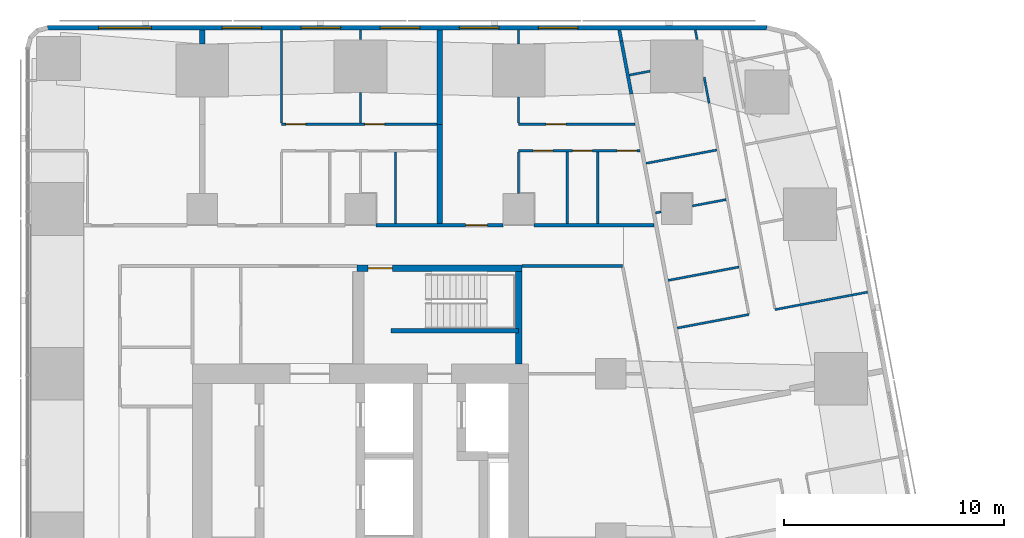
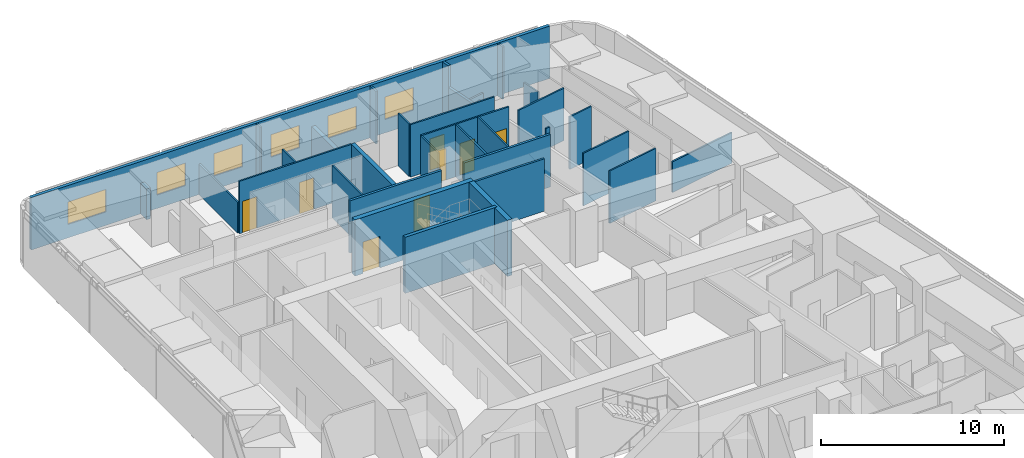
# One storey, part 16 of 19: 33 walls, 8 doors, 6 windows, 14 openings.
"""IFC4 building model written with IfcOpenShell, lengths in metres."""

from ifc_helpers import new_model, si_unit, direction, frame, frame_2d, origin, place, context, subcontext, project, spatial, rectangle, extrude, material, layer, layer_set, type_object, element, fill, save


model = new_model("IFC4")

# Units and contexts
model_context = context("Model", 3, precision=1e-05, world=origin(), true_north=direction((0.0, 1.0)))
body_context = subcontext(model_context, "Body", "Model", "MODEL_VIEW")
ifc_project = project(units=[si_unit("LENGTHUNIT", "METRE"), si_unit("AREAUNIT", "SQUARE_METRE"), si_unit("VOLUMEUNIT", "CUBIC_METRE"), si_unit("PLANEANGLEUNIT", "RADIAN"), si_unit("MASSUNIT", "GRAM", prefix="KILO")], contexts=[model_context])

# Site, building, storey
site_placement = place(None, origin())
site = spatial("IfcSite", under=ifc_project, at=site_placement, CompositionType="ELEMENT")
building_placement = place(site_placement, origin())
building = spatial("IfcBuilding", under=site, at=building_placement, Name="Sheger Commons Tower", CompositionType="ELEMENT")
storey_placement = place(building_placement, frame((0.0, 0.0, 216.199951171875)))
storey = spatial("IfcBuildingStorey", under=building, at=storey_placement, Name="L55", CompositionType="ELEMENT", Elevation=216.199951171875)

# Wall, opening, door
ifc_material_1 = material(Name="Hollow concrete block masonry, skimmed both sides", Category="masonry")
ifc_layer_1 = layer(ifc_material_1, 0.14990234375)
ifc_layer_set_1 = layer_set([ifc_layer_1], Name="CORRIDOR WALL 150")
wall_type_1 = type_object("IfcWallType", Name="CORRIDOR WALL 150", PredefinedType="SOLIDWALL", material=ifc_layer_set_1)
wall_1_placement = place(storey_placement, frame((22.301025390625, 36.75, 0.0), z_axis=(0.0, 0.0, 1.0), x_axis=(1.0, 0.0, 0.0)))
wall_1 = element("IfcWall", 1, at=wall_1_placement, inside=storey, type_object=wall_type_1, Name="Corridor wall L55", PredefinedType="SOLIDWALL", context=body_context, shape_type="SweptSolid", body=[
    extrude(rectangle(XDim=5.798095703125, YDim=0.14990234375, at=frame_2d((2.89892578125, 0.0))), origin(), (0.0, 0.0, 1.0), 3.5),
])
opening_1_placement = place(wall_1_placement, frame((4.08203125, 0.0, 0.0)))
opening_1 = element("IfcOpeningElement", 2, at=opening_1_placement, cuts=wall_1, Name="Opening D1", PredefinedType="OPENING", context=body_context, shape_type="SweptSolid", body=[
    extrude(rectangle(XDim=1.0, YDim=2.10009765625, at=frame_2d((0.5, 1.050048828125))), frame((0.0, 0.0849609375, 0.0), z_axis=(0.0, -1.0, 0.0), x_axis=(1.0, 0.0, 0.0)), (0.0, 0.0, 1.0), 0.169921875),
])
ifc_material_2 = material(Name="Steel door set, fire rated", Category="steel")
door_type_1 = type_object("IfcDoorType", Name="FLAT ENTRANCE DOOR 1000x2100", OperationType="NOTDEFINED", PredefinedType="DOOR", material=ifc_material_2)
door_1_placement = place(opening_1_placement, origin())
door_1 = element("IfcDoor", 3, at=door_1_placement, inside=storey, type_object=door_type_1, Name="Flat entrance door", OperationType="SINGLE_SWING_RIGHT", OverallHeight=2.10009765625, OverallWidth=1.0, PredefinedType="DOOR", context=body_context, shape_type="SweptSolid", body=[
    extrude(rectangle(XDim=1.0, YDim=2.10009765625, at=frame_2d((0.5, 1.050048828125))), frame((0.0, 0.02490234375, 0.0), z_axis=(0.0, -1.0, 0.0), x_axis=(1.0, 0.0, 0.0)), (0.0, 0.0, 1.0), 0.050048828125),
])
fill(opening_1, door_1)

# Walls
wall_2_placement = place(storey_placement, frame((29.5009765625, 36.75, 0.0), z_axis=(0.0, 0.0, 1.0), x_axis=(1.0, 0.0, 0.0)))
element("IfcWall", 4, at=wall_2_placement, inside=storey, type_object=wall_type_1, Name="Corridor wall L55", PredefinedType="SOLIDWALL", context=body_context, shape_type="SweptSolid", body=[
    extrude(rectangle(XDim=5.470947265625, YDim=0.14990234375, at=frame_2d((2.7353515625, 0.0))), origin(), (0.0, 0.0, 1.0), 3.5),
])
wall_3_placement = place(storey_placement, frame((33.382080078125, 45.64990234375, 0.0), z_axis=(0.0, 0.0, 1.0), x_axis=(0.185657456326, -0.982614527122, 0.0)))
element("IfcWall", 5, at=wall_3_placement, inside=storey, type_object=wall_type_1, Name="Corridor wall L55", PredefinedType="SOLIDWALL", context=body_context, shape_type="SweptSolid", body=[
    extrude(rectangle(XDim=0.516845703125, YDim=0.14990234375, at=frame_2d((0.25830078125, 0.0))), origin(), (0.0, 0.0, 1.0), 3.5),
])
wall_4_placement = place(storey_placement, frame((33.47802734375, 45.14208984375, 0.0), z_axis=(0.0, 0.0, 1.0), x_axis=(0.185393362436, -0.982664388876, 0.0)))
element("IfcWall", 6, at=wall_4_placement, inside=storey, type_object=wall_type_1, Name="Corridor wall L55", PredefinedType="SOLIDWALL", context=body_context, shape_type="SweptSolid", body=[
    extrude(rectangle(XDim=2.45458984375, YDim=0.14990234375, at=frame_2d((1.227294921875, 0.0))), origin(), (0.0, 0.0, 1.0), 2.050048828125),
])
ifc_material_3 = material(Name="Dense concrete block masonry, plastered both sides (separating wall between flats)", Category="masonry")
ifc_layer_2 = layer(ifc_material_3, 0.25)
ifc_layer_set_2 = layer_set([ifc_layer_2], Name="DEMISING WALL 250")
wall_type_2 = type_object("IfcWallType", Name="DEMISING WALL 250", PredefinedType="SOLIDWALL", material=ifc_layer_set_2)
wall_5_placement = place(storey_placement, frame((14.39990234375, 45.0009765625, 0.0), z_axis=(0.0, 0.0, 1.0), x_axis=(0.0, 1.0, 0.0)))
element("IfcWall", 7, at=wall_5_placement, inside=storey, type_object=wall_type_2, Name="Demising wall L55", PredefinedType="SOLIDWALL", context=body_context, shape_type="SweptSolid", body=[
    extrude(rectangle(XDim=0.64892578125, YDim=0.25, at=frame_2d((0.324462890625, 0.0))), origin(), (0.0, 0.0, 1.0), 2.050048828125),
])
wall_6_placement = place(storey_placement, frame((25.199951171875, 41.35009765625, 0.0), z_axis=(0.0, 0.0, 1.0), x_axis=(0.0, 1.0, 0.0)))
element("IfcWall", 8, at=wall_6_placement, inside=storey, type_object=wall_type_2, Name="Demising wall L55", PredefinedType="SOLIDWALL", context=body_context, shape_type="SweptSolid", body=[
    extrude(rectangle(XDim=4.2998046875, YDim=0.25, at=frame_2d((2.14990234375, 0.0))), origin(), (0.0, 0.0, 1.0), 2.050048828125),
])
wall_7_placement = place(storey_placement, frame((25.199951171875, 36.824951171875, 0.0), z_axis=(0.0, 0.0, 1.0), x_axis=(0.0, 1.0, 0.0)))
element("IfcWall", 9, at=wall_7_placement, inside=storey, type_object=wall_type_2, Name="Demising wall L55", PredefinedType="SOLIDWALL", context=body_context, shape_type="SweptSolid", body=[
    extrude(rectangle(XDim=4.525146484375, YDim=0.25, at=frame_2d((2.2626953125, 0.0))), origin(), (0.0, 0.0, 1.0), 3.5),
])

# Wall, openings, windows
ifc_material_4 = material(Name="Rendered concrete block masonry, dark grey", Category="masonry")
ifc_layer_3 = layer(ifc_material_4, 0.199951171875)
ifc_layer_set_3 = layer_set([ifc_layer_3], Name="FACADE WALL 200")
wall_type_3 = type_object("IfcWallType", Name="FACADE WALL 200", PredefinedType="SOLIDWALL", material=ifc_layer_set_3)
wall_8_placement = place(storey_placement, frame((40.10595703125, 45.75, 0.0), z_axis=(0.0, 0.0, 1.0), x_axis=(-1.0, 0.0, 0.0)))
wall_8 = element("IfcWall", 10, at=wall_8_placement, inside=storey, type_object=wall_type_3, Name="Facade wall L55", PredefinedType="SOLIDWALL", context=body_context, shape_type="SweptSolid", body=[
    extrude(rectangle(XDim=32.742919921875, YDim=0.199951171875, at=frame_2d((16.37158203125, 0.0))), origin(), (0.0, 0.0, 1.0), 3.5),
])
opening_2_placement = place(wall_8_placement, frame((8.60595703125, 0.0, 0.89990234375)))
opening_2 = element("IfcOpeningElement", 11, at=opening_2_placement, cuts=wall_8, Name="Opening W2", PredefinedType="OPENING", context=body_context, shape_type="SweptSolid", body=[
    extrude(rectangle(XDim=1.800048828125, YDim=1.5, at=frame_2d((0.89990234375, 0.75))), frame((0.0, 0.10986328125, 0.0), z_axis=(0.0, -1.0, 0.0), x_axis=(1.0, 0.0, 0.0)), (0.0, 0.0, 1.0), 0.219970703125),
])
opening_3_placement = place(wall_8_placement, frame((12.2060546875, 0.0, 0.89990234375)))
opening_3 = element("IfcOpeningElement", 12, at=opening_3_placement, cuts=wall_8, Name="Opening W2", PredefinedType="OPENING", context=body_context, shape_type="SweptSolid", body=[
    extrude(rectangle(XDim=1.800048828125, YDim=1.5, at=frame_2d((0.89990234375, 0.75))), frame((0.0, 0.10986328125, 0.0), z_axis=(0.0, -1.0, 0.0), x_axis=(1.0, 0.0, 0.0)), (0.0, 0.0, 1.0), 0.219970703125),
])
opening_4_placement = place(wall_8_placement, frame((15.805908203125, 0.0, 0.89990234375)))
opening_4 = element("IfcOpeningElement", 13, at=opening_4_placement, cuts=wall_8, Name="Opening W2", PredefinedType="OPENING", context=body_context, shape_type="SweptSolid", body=[
    extrude(rectangle(XDim=1.800048828125, YDim=1.5, at=frame_2d((0.89990234375, 0.75))), frame((0.0, 0.10986328125, 0.0), z_axis=(0.0, -1.0, 0.0), x_axis=(1.0, 0.0, 0.0)), (0.0, 0.0, 1.0), 0.219970703125),
])
opening_5_placement = place(wall_8_placement, frame((19.406005859375, 0.0, 0.89990234375)))
opening_5 = element("IfcOpeningElement", 14, at=opening_5_placement, cuts=wall_8, Name="Opening W2", PredefinedType="OPENING", context=body_context, shape_type="SweptSolid", body=[
    extrude(rectangle(XDim=1.800048828125, YDim=1.5, at=frame_2d((0.89990234375, 0.75))), frame((0.0, 0.10986328125, 0.0), z_axis=(0.0, -1.0, 0.0), x_axis=(1.0, 0.0, 0.0)), (0.0, 0.0, 1.0), 0.219970703125),
])
opening_6_placement = place(wall_8_placement, frame((23.006103515625, 0.0, 0.89990234375)))
opening_6 = element("IfcOpeningElement", 15, at=opening_6_placement, cuts=wall_8, Name="Opening W2", PredefinedType="OPENING", context=body_context, shape_type="SweptSolid", body=[
    extrude(rectangle(XDim=1.800048828125, YDim=1.5, at=frame_2d((0.89990234375, 0.75))), frame((0.0, 0.10986328125, 0.0), z_axis=(0.0, -1.0, 0.0), x_axis=(1.0, 0.0, 0.0)), (0.0, 0.0, 1.0), 0.219970703125),
])
opening_7_placement = place(wall_8_placement, frame((28.02490234375, 0.0, 0.89990234375)))
opening_7 = element("IfcOpeningElement", 16, at=opening_7_placement, cuts=wall_8, Name="Opening W1", PredefinedType="OPENING", context=body_context, shape_type="SweptSolid", body=[
    extrude(rectangle(XDim=2.39990234375, YDim=1.5, at=frame_2d((1.199951171875, 0.75))), frame((0.0, 0.10986328125, 0.0), z_axis=(0.0, -1.0, 0.0), x_axis=(1.0, 0.0, 0.0)), (0.0, 0.0, 1.0), 0.219970703125),
])
ifc_material_5 = material(Name="Black aluminium frame, dark tinted double glazing", Category="aluminium")
window_type_1 = type_object("IfcWindowType", Name="WINDOW W1 2400x1500", PartitioningType="SINGLE_PANEL", PredefinedType="WINDOW", material=ifc_material_5)
window_1_placement = place(opening_7_placement, origin())
window_1 = element("IfcWindow", 17, at=window_1_placement, inside=storey, type_object=window_type_1, Name="Window W1 2400X1500", OverallHeight=1.5, OverallWidth=2.39990234375, PartitioningType="SINGLE_PANEL", PredefinedType="WINDOW", context=body_context, shape_type="SweptSolid", body=[
    extrude(rectangle(XDim=2.39990234375, YDim=1.5, at=frame_2d((1.199951171875, 0.75))), frame((0.0, 0.030029296875, 0.0), z_axis=(0.0, -1.0, 0.0), x_axis=(1.0, 0.0, 0.0)), (0.0, 0.0, 1.0), 0.06005859375),
])
fill(opening_7, window_1)
ifc_material_6 = material(Name="Black aluminium frame, dark tinted double glazing", Category="aluminium")
window_type_2 = type_object("IfcWindowType", Name="WINDOW W2 1800x1500", PartitioningType="SINGLE_PANEL", PredefinedType="WINDOW", material=ifc_material_6)
window_2_placement = place(opening_2_placement, origin())
window_2 = element("IfcWindow", 18, at=window_2_placement, inside=storey, type_object=window_type_2, Name="Window W2 1800X1500", OverallHeight=1.5, OverallWidth=1.800048828125, PartitioningType="SINGLE_PANEL", PredefinedType="WINDOW", context=body_context, shape_type="SweptSolid", body=[
    extrude(rectangle(XDim=1.800048828125, YDim=1.5, at=frame_2d((0.89990234375, 0.75))), frame((0.0, 0.030029296875, 0.0), z_axis=(0.0, -1.0, 0.0), x_axis=(1.0, 0.0, 0.0)), (0.0, 0.0, 1.0), 0.06005859375),
])
fill(opening_2, window_2)
window_3_placement = place(opening_3_placement, origin())
window_3 = element("IfcWindow", 19, at=window_3_placement, inside=storey, type_object=window_type_2, Name="Window W2 1800X1500", OverallHeight=1.5, OverallWidth=1.800048828125, PartitioningType="SINGLE_PANEL", PredefinedType="WINDOW", context=body_context, shape_type="SweptSolid", body=[
    extrude(rectangle(XDim=1.800048828125, YDim=1.5, at=frame_2d((0.89990234375, 0.75))), frame((0.0, 0.030029296875, 0.0), z_axis=(0.0, -1.0, 0.0), x_axis=(1.0, 0.0, 0.0)), (0.0, 0.0, 1.0), 0.06005859375),
])
fill(opening_3, window_3)
window_4_placement = place(opening_4_placement, origin())
window_4 = element("IfcWindow", 20, at=window_4_placement, inside=storey, type_object=window_type_2, Name="Window W2 1800X1500", OverallHeight=1.5, OverallWidth=1.800048828125, PartitioningType="SINGLE_PANEL", PredefinedType="WINDOW", context=body_context, shape_type="SweptSolid", body=[
    extrude(rectangle(XDim=1.800048828125, YDim=1.5, at=frame_2d((0.89990234375, 0.75))), frame((0.0, 0.030029296875, 0.0), z_axis=(0.0, -1.0, 0.0), x_axis=(1.0, 0.0, 0.0)), (0.0, 0.0, 1.0), 0.06005859375),
])
fill(opening_4, window_4)
window_5_placement = place(opening_5_placement, origin())
window_5 = element("IfcWindow", 21, at=window_5_placement, inside=storey, type_object=window_type_2, Name="Window W2 1800X1500", OverallHeight=1.5, OverallWidth=1.800048828125, PartitioningType="SINGLE_PANEL", PredefinedType="WINDOW", context=body_context, shape_type="SweptSolid", body=[
    extrude(rectangle(XDim=1.800048828125, YDim=1.5, at=frame_2d((0.89990234375, 0.75))), frame((0.0, 0.030029296875, 0.0), z_axis=(0.0, -1.0, 0.0), x_axis=(1.0, 0.0, 0.0)), (0.0, 0.0, 1.0), 0.06005859375),
])
fill(opening_5, window_5)
window_6_placement = place(opening_6_placement, origin())
window_6 = element("IfcWindow", 22, at=window_6_placement, inside=storey, type_object=window_type_2, Name="Window W2 1800X1500", OverallHeight=1.5, OverallWidth=1.800048828125, PartitioningType="SINGLE_PANEL", PredefinedType="WINDOW", context=body_context, shape_type="SweptSolid", body=[
    extrude(rectangle(XDim=1.800048828125, YDim=1.5, at=frame_2d((0.89990234375, 0.75))), frame((0.0, 0.030029296875, 0.0), z_axis=(0.0, -1.0, 0.0), x_axis=(1.0, 0.0, 0.0)), (0.0, 0.0, 1.0), 0.06005859375),
])
fill(opening_6, window_6)

# Walls
ifc_material_7 = material(Name="Gypsum board on steel studs", Category="steel")
ifc_layer_4 = layer(ifc_material_7, 0.10009765625)
ifc_layer_set_4 = layer_set([ifc_layer_4], Name="PARTITION 100")
wall_type_4 = type_object("IfcWallType", Name="PARTITION 100", PredefinedType="PARTITIONING", material=ifc_layer_set_4)
wall_9_placement = place(storey_placement, frame((36.842041015625, 45.64990234375, 0.0), z_axis=(0.0, 0.0, 1.0), x_axis=(0.185407859198, -0.982661653748, 0.0)))
element("IfcWall", 23, at=wall_9_placement, inside=storey, type_object=wall_type_4, Name="Partition L55", PredefinedType="PARTITIONING", context=body_context, shape_type="SweptSolid", body=[
    extrude(rectangle(XDim=0.44775390625, YDim=0.10009765625, at=frame_2d((0.223876953125, 0.0))), origin(), (0.0, 0.0, 1.0), 3.5),
])
wall_10_placement = place(storey_placement, frame((37.2490234375, 43.492919921875, 0.0), z_axis=(0.0, 0.0, 1.0), x_axis=(0.185817643817, -0.982584247404, 0.0)))
element("IfcWall", 24, at=wall_10_placement, inside=storey, type_object=wall_type_4, Name="Partition L55", PredefinedType="PARTITIONING", context=body_context, shape_type="SweptSolid", body=[
    extrude(rectangle(XDim=1.204833984375, YDim=0.10009765625, at=frame_2d((0.6025390625, 0.0))), origin(), (0.0, 0.0, 1.0), 2.050048828125),
])
wall_11_placement = place(storey_placement, frame((44.693115234375, 33.712890625, 0.0), z_axis=(0.0, 0.0, 1.0), x_axis=(-0.982633535512, -0.185556823879, 0.0)))
element("IfcWall", 25, at=wall_11_placement, inside=storey, type_object=wall_type_4, Name="Partition L55", PredefinedType="PARTITIONING", context=body_context, shape_type="SweptSolid", body=[
    extrude(rectangle(XDim=4.2998046875, YDim=0.10009765625, at=frame_2d((2.14990234375, 0.0))), origin(), (0.0, 0.0, 1.0), 2.050048828125),
])
wall_12_placement = place(storey_placement, frame((34.7900390625, 43.77197265625, 0.0), z_axis=(0.0, 0.0, 1.0), x_axis=(-0.982655532093, -0.185440301034, 0.0)))
element("IfcWall", 26, at=wall_12_placement, inside=storey, type_object=wall_type_4, Name="Partition L55", PredefinedType="PARTITIONING", context=body_context, shape_type="SweptSolid", body=[
    extrude(rectangle(XDim=0.959716796875, YDim=0.10009765625, at=frame_2d((0.47998046875, 0.0))), origin(), (0.0, 0.0, 1.0), 2.050048828125),
])
wall_13_placement = place(storey_placement, frame((37.822998046875, 40.181884765625, 0.0), z_axis=(0.0, 0.0, 1.0), x_axis=(-0.982664729897, -0.18539155487, 0.0)))
element("IfcWall", 27, at=wall_13_placement, inside=storey, type_object=wall_type_4, Name="Partition L55", PredefinedType="PARTITIONING", context=body_context, shape_type="SweptSolid", body=[
    extrude(rectangle(XDim=3.273681640625, YDim=0.10009765625, at=frame_2d((1.63671875, 0.0))), origin(), (0.0, 0.0, 1.0), 3.5),
])
wall_14_placement = place(storey_placement, frame((38.25, 37.925048828125, 0.0), z_axis=(0.0, 0.0, 1.0), x_axis=(-0.982610209589, -0.185680305934, 0.0)))
element("IfcWall", 28, at=wall_14_placement, inside=storey, type_object=wall_type_4, Name="Partition L55", PredefinedType="PARTITIONING", context=body_context, shape_type="SweptSolid", body=[
    extrude(rectangle(XDim=1.5673828125, YDim=0.10009765625, at=frame_2d((0.78369140625, 0.0))), origin(), (0.0, 0.0, 1.0), 3.5),
])
wall_15_placement = place(storey_placement, frame((35.2900390625, 37.365966796875, 0.0), z_axis=(0.0, 0.0, 1.0), x_axis=(-0.982395465615, -0.18681313963, 0.0)))
element("IfcWall", 29, at=wall_15_placement, inside=storey, type_object=wall_type_4, Name="Partition L55", PredefinedType="PARTITIONING", context=body_context, shape_type="SweptSolid", body=[
    extrude(rectangle(XDim=0.2626953125, YDim=0.10009765625, at=frame_2d((0.13134765625, 0.0))), origin(), (0.0, 0.0, 1.0), 3.5),
])
wall_16_placement = place(storey_placement, frame((39.2890625, 32.69189453125, 0.0), z_axis=(0.0, 0.0, 1.0), x_axis=(-0.982633623707, -0.185556356831, 0.0)))
element("IfcWall", 30, at=wall_16_placement, inside=storey, type_object=wall_type_4, Name="Partition L55", PredefinedType="PARTITIONING", context=body_context, shape_type="SweptSolid", body=[
    extrude(rectangle(XDim=3.324951171875, YDim=0.10009765625, at=frame_2d((1.66259765625, 0.0))), origin(), (0.0, 0.0, 1.0), 3.5),
])
wall_17_placement = place(storey_placement, frame((38.8291015625, 34.85498046875, 0.0), z_axis=(0.0, 0.0, 1.0), x_axis=(-0.982610347627, -0.185679575441, 0.0)))
element("IfcWall", 31, at=wall_17_placement, inside=storey, type_object=wall_type_4, Name="Partition L55", PredefinedType="PARTITIONING", context=body_context, shape_type="SweptSolid", body=[
    extrude(rectangle(XDim=3.27392578125, YDim=0.10009765625, at=frame_2d((1.636962890625, 0.0))), origin(), (0.0, 0.0, 1.0), 3.5),
])

# Wall, openings, doors
wall_18_placement = place(storey_placement, frame((18.0, 41.35009765625, 0.0), z_axis=(0.0, 0.0, 1.0), x_axis=(1.0, 0.0, 0.0)))
wall_18 = element("IfcWall", 32, at=wall_18_placement, inside=storey, type_object=wall_type_4, Name="Partition L55", PredefinedType="PARTITIONING", context=body_context, shape_type="SweptSolid", body=[
    extrude(rectangle(XDim=7.074951171875, YDim=0.10009765625, at=frame_2d((3.53759765625, 0.0))), origin(), (0.0, 0.0, 1.0), 3.5),
])
opening_8_placement = place(wall_18_placement, frame((0.199951171875, 0.0, 0.0)))
opening_8 = element("IfcOpeningElement", 33, at=opening_8_placement, cuts=wall_18, Name="Opening D2", PredefinedType="OPENING", context=body_context, shape_type="SweptSolid", body=[
    extrude(rectangle(XDim=0.89990234375, YDim=2.10009765625, at=frame_2d((0.449951171875, 1.050048828125))), frame((0.0, 0.06005859375, 0.0), z_axis=(0.0, -1.0, 0.0), x_axis=(1.0, 0.0, 0.0)), (0.0, 0.0, 1.0), 0.1201171875),
])
opening_9_placement = place(wall_18_placement, frame((3.800048828125, 0.0, 0.0)))
opening_9 = element("IfcOpeningElement", 34, at=opening_9_placement, cuts=wall_18, Name="Opening D2", PredefinedType="OPENING", context=body_context, shape_type="SweptSolid", body=[
    extrude(rectangle(XDim=0.89990234375, YDim=2.10009765625, at=frame_2d((0.449951171875, 1.050048828125))), frame((0.0, 0.06005859375, 0.0), z_axis=(0.0, -1.0, 0.0), x_axis=(1.0, 0.0, 0.0)), (0.0, 0.0, 1.0), 0.1201171875),
])
ifc_material_8 = material(Name="Timber door set", Category="wood")
door_type_2 = type_object("IfcDoorType", Name="INTERNAL DOOR 900x2100", OperationType="NOTDEFINED", PredefinedType="DOOR", material=ifc_material_8)
door_2_placement = place(opening_8_placement, origin())
door_2 = element("IfcDoor", 35, at=door_2_placement, inside=storey, type_object=door_type_2, Name="Main bedroom door", OperationType="SINGLE_SWING_LEFT", OverallHeight=2.10009765625, OverallWidth=0.89990234375, PredefinedType="DOOR", context=body_context, shape_type="SweptSolid", body=[
    extrude(rectangle(XDim=0.89990234375, YDim=2.10009765625, at=frame_2d((0.449951171875, 1.050048828125))), frame((0.0, 0.02490234375, 0.0), z_axis=(0.0, -1.0, 0.0), x_axis=(1.0, 0.0, 0.0)), (0.0, 0.0, 1.0), 0.050048828125),
])
fill(opening_8, door_2)
door_3_placement = place(opening_9_placement, origin())
door_3 = element("IfcDoor", 36, at=door_3_placement, inside=storey, type_object=door_type_2, Name="Bedroom 2 door", OperationType="SINGLE_SWING_LEFT", OverallHeight=2.10009765625, OverallWidth=0.89990234375, PredefinedType="DOOR", context=body_context, shape_type="SweptSolid", body=[
    extrude(rectangle(XDim=0.89990234375, YDim=2.10009765625, at=frame_2d((0.449951171875, 1.050048828125))), frame((0.0, 0.02490234375, 0.0), z_axis=(0.0, -1.0, 0.0), x_axis=(1.0, 0.0, 0.0)), (0.0, 0.0, 1.0), 0.050048828125),
])
fill(opening_9, door_3)

# Walls
wall_19_placement = place(storey_placement, frame((18.0, 41.39990234375, 0.0), z_axis=(0.0, 0.0, 1.0), x_axis=(0.0, 1.0, 0.0)))
element("IfcWall", 37, at=wall_19_placement, inside=storey, type_object=wall_type_4, Name="Partition L55", PredefinedType="PARTITIONING", context=body_context, shape_type="SweptSolid", body=[
    extrude(rectangle(XDim=4.25, YDim=0.10009765625, at=frame_2d((2.125, 0.0))), origin(), (0.0, 0.0, 1.0), 2.050048828125),
])
wall_20_placement = place(storey_placement, frame((21.60009765625, 41.39990234375, 0.0), z_axis=(0.0, 0.0, 1.0), x_axis=(0.0, 1.0, 0.0)))
element("IfcWall", 38, at=wall_20_placement, inside=storey, type_object=wall_type_4, Name="Partition L55", PredefinedType="PARTITIONING", context=body_context, shape_type="SweptSolid", body=[
    extrude(rectangle(XDim=1.399169921875, YDim=0.10009765625, at=frame_2d((0.69970703125, 0.0))), origin(), (0.0, 0.0, 1.0), 3.5),
])
wall_21_placement = place(storey_placement, frame((21.60009765625, 45.200927734375, 0.0), z_axis=(0.0, 0.0, 1.0), x_axis=(0.0, 1.0, 0.0)))
element("IfcWall", 39, at=wall_21_placement, inside=storey, type_object=wall_type_4, Name="Partition L55", PredefinedType="PARTITIONING", context=body_context, shape_type="SweptSolid", body=[
    extrude(rectangle(XDim=0.448974609375, YDim=0.10009765625, at=frame_2d((0.224609375, 0.0))), origin(), (0.0, 0.0, 1.0), 3.5),
])
wall_22_placement = place(storey_placement, frame((23.199951171875, 36.824951171875, 0.0), z_axis=(0.0, 0.0, 1.0), x_axis=(0.0, 1.0, 0.0)))
element("IfcWall", 40, at=wall_22_placement, inside=storey, type_object=wall_type_4, Name="Partition L55", PredefinedType="PARTITIONING", context=body_context, shape_type="SweptSolid", body=[
    extrude(rectangle(XDim=3.275146484375, YDim=0.10009765625, at=frame_2d((1.6376953125, 0.0))), origin(), (0.0, 0.0, 1.0), 3.5),
])

# Wall, opening, door
wall_23_placement = place(storey_placement, frame((28.800048828125, 41.35009765625, 0.0), z_axis=(0.0, 0.0, 1.0), x_axis=(1.0, 0.0, 0.0)))
wall_23 = element("IfcWall", 41, at=wall_23_placement, inside=storey, type_object=wall_type_4, Name="Partition L55", PredefinedType="PARTITIONING", context=body_context, shape_type="SweptSolid", body=[
    extrude(rectangle(XDim=5.307861328125, YDim=0.10009765625, at=frame_2d((2.65380859375, 0.0))), origin(), (0.0, 0.0, 1.0), 3.5),
])
opening_10_placement = place(wall_23_placement, frame((1.25, 0.0, 0.0)))
opening_10 = element("IfcOpeningElement", 42, at=opening_10_placement, cuts=wall_23, Name="Opening D2", PredefinedType="OPENING", context=body_context, shape_type="SweptSolid", body=[
    extrude(rectangle(XDim=0.89990234375, YDim=2.10009765625, at=frame_2d((0.449951171875, 1.050048828125))), frame((0.0, 0.06005859375, 0.0), z_axis=(0.0, -1.0, 0.0), x_axis=(1.0, 0.0, 0.0)), (0.0, 0.0, 1.0), 0.1201171875),
])
door_4_placement = place(opening_10_placement, origin())
door_4 = element("IfcDoor", 43, at=door_4_placement, inside=storey, type_object=door_type_2, Name="Main bedroom door", OperationType="SINGLE_SWING_RIGHT", OverallHeight=2.10009765625, OverallWidth=0.89990234375, PredefinedType="DOOR", context=body_context, shape_type="SweptSolid", body=[
    extrude(rectangle(XDim=0.89990234375, YDim=2.10009765625, at=frame_2d((0.449951171875, 1.050048828125))), frame((0.0, 0.02490234375, 0.0), z_axis=(0.0, -1.0, 0.0), x_axis=(1.0, 0.0, 0.0)), (0.0, 0.0, 1.0), 0.050048828125),
])
fill(opening_10, door_4)

# Wall, openings, doors
wall_24_placement = place(storey_placement, frame((28.800048828125, 40.14990234375, 0.0), z_axis=(0.0, 0.0, 1.0), x_axis=(1.0, 0.0, 0.0)))
wall_24 = element("IfcWall", 44, at=wall_24_placement, inside=storey, type_object=wall_type_4, Name="Partition L55", PredefinedType="PARTITIONING", context=body_context, shape_type="SweptSolid", body=[
    extrude(rectangle(XDim=5.534912109375, YDim=0.10009765625, at=frame_2d((2.767578125, 0.0))), origin(), (0.0, 0.0, 1.0), 3.5),
])
opening_11_placement = place(wall_24_placement, frame((0.655029296875, 0.0, 0.0)))
opening_11 = element("IfcOpeningElement", 45, at=opening_11_placement, cuts=wall_24, Name="Opening D2", PredefinedType="OPENING", context=body_context, shape_type="SweptSolid", body=[
    extrude(rectangle(XDim=0.89990234375, YDim=2.10009765625, at=frame_2d((0.449951171875, 1.050048828125))), frame((0.0, 0.06005859375, 0.0), z_axis=(0.0, -1.0, 0.0), x_axis=(1.0, 0.0, 0.0)), (0.0, 0.0, 1.0), 0.1201171875),
])
opening_12_placement = place(wall_24_placement, frame((4.48095703125, 0.0, 0.0)))
opening_12 = element("IfcOpeningElement", 46, at=opening_12_placement, cuts=wall_24, Name="Opening D2", PredefinedType="OPENING", context=body_context, shape_type="SweptSolid", body=[
    extrude(rectangle(XDim=0.89990234375, YDim=2.10009765625, at=frame_2d((0.449951171875, 1.050048828125))), frame((0.0, 0.06005859375, 0.0), z_axis=(0.0, -1.0, 0.0), x_axis=(1.0, 0.0, 0.0)), (0.0, 0.0, 1.0), 0.1201171875),
])
opening_13_placement = place(wall_24_placement, frame((2.455078125, 0.0, 0.0)))
opening_13 = element("IfcOpeningElement", 47, at=opening_13_placement, cuts=wall_24, Name="Opening D2", PredefinedType="OPENING", context=body_context, shape_type="SweptSolid", body=[
    extrude(rectangle(XDim=0.89990234375, YDim=2.10009765625, at=frame_2d((0.449951171875, 1.050048828125))), frame((0.0, 0.06005859375, 0.0), z_axis=(0.0, -1.0, 0.0), x_axis=(1.0, 0.0, 0.0)), (0.0, 0.0, 1.0), 0.1201171875),
])
door_5_placement = place(opening_11_placement, origin())
door_5 = element("IfcDoor", 48, at=door_5_placement, inside=storey, type_object=door_type_2, Name="Bathroom door", OperationType="SINGLE_SWING_RIGHT", OverallHeight=2.10009765625, OverallWidth=0.89990234375, PredefinedType="DOOR", context=body_context, shape_type="SweptSolid", body=[
    extrude(rectangle(XDim=0.89990234375, YDim=2.10009765625, at=frame_2d((0.449951171875, 1.050048828125))), frame((0.0, 0.02490234375, 0.0), z_axis=(0.0, -1.0, 0.0), x_axis=(1.0, 0.0, 0.0)), (0.0, 0.0, 1.0), 0.050048828125),
])
fill(opening_11, door_5)
door_6_placement = place(opening_12_placement, origin())
door_6 = element("IfcDoor", 49, at=door_6_placement, inside=storey, type_object=door_type_2, Name="Laundry room door", OperationType="SINGLE_SWING_LEFT", OverallHeight=2.10009765625, OverallWidth=0.89990234375, PredefinedType="DOOR", context=body_context, shape_type="SweptSolid", body=[
    extrude(rectangle(XDim=0.89990234375, YDim=2.10009765625, at=frame_2d((0.449951171875, 1.050048828125))), frame((0.0, 0.02490234375, 0.0), z_axis=(0.0, -1.0, 0.0), x_axis=(1.0, 0.0, 0.0)), (0.0, 0.0, 1.0), 0.050048828125),
])
fill(opening_12, door_6)
door_7_placement = place(opening_13_placement, origin())
door_7 = element("IfcDoor", 50, at=door_7_placement, inside=storey, type_object=door_type_2, Name="Store door", OperationType="SINGLE_SWING_RIGHT", OverallHeight=2.10009765625, OverallWidth=0.89990234375, PredefinedType="DOOR", context=body_context, shape_type="SweptSolid", body=[
    extrude(rectangle(XDim=0.89990234375, YDim=2.10009765625, at=frame_2d((0.449951171875, 1.050048828125))), frame((0.0, 0.02490234375, 0.0), z_axis=(0.0, -1.0, 0.0), x_axis=(1.0, 0.0, 0.0)), (0.0, 0.0, 1.0), 0.050048828125),
])
fill(opening_13, door_7)

# Walls
wall_25_placement = place(storey_placement, frame((28.800048828125, 41.39990234375, 0.0), z_axis=(0.0, 0.0, 1.0), x_axis=(0.0, 1.0, 0.0)))
element("IfcWall", 51, at=wall_25_placement, inside=storey, type_object=wall_type_4, Name="Partition L55", PredefinedType="PARTITIONING", context=body_context, shape_type="SweptSolid", body=[
    extrude(rectangle(XDim=1.19921875, YDim=0.10009765625, at=frame_2d((0.599609375, 0.0))), origin(), (0.0, 0.0, 1.0), 3.5),
])
wall_26_placement = place(storey_placement, frame((28.800048828125, 45.0009765625, 0.0), z_axis=(0.0, 0.0, 1.0), x_axis=(0.0, 1.0, 0.0)))
element("IfcWall", 52, at=wall_26_placement, inside=storey, type_object=wall_type_4, Name="Partition L55", PredefinedType="PARTITIONING", context=body_context, shape_type="SweptSolid", body=[
    extrude(rectangle(XDim=0.64892578125, YDim=0.10009765625, at=frame_2d((0.324462890625, 0.0))), origin(), (0.0, 0.0, 1.0), 3.5),
])
wall_27_placement = place(storey_placement, frame((28.800048828125, 38.200927734375, 0.0), z_axis=(0.0, 0.0, 1.0), x_axis=(0.0, 1.0, 0.0)))
element("IfcWall", 53, at=wall_27_placement, inside=storey, type_object=wall_type_4, Name="Partition L55", PredefinedType="PARTITIONING", context=body_context, shape_type="SweptSolid", body=[
    extrude(rectangle(XDim=1.899169921875, YDim=0.10009765625, at=frame_2d((0.94970703125, 0.0))), origin(), (0.0, 0.0, 1.0), 3.5),
])
for number, where, z_axis, x_axis, name in (
    (54, (32.39990234375, 36.824951171875, 0.0), (0.0, 0.0, 1.0), (0.0, 1.0, 0.0), "Partition L55"),
    (55, (31.010009765625, 36.824951171875, 0.0), (0.0, 0.0, 1.0), (0.0, 1.0, 0.0), "Partition L55"),
):
    element("IfcWall", number, at=place(storey_placement, frame(where, z_axis=z_axis, x_axis=x_axis)), inside=storey, type_object=wall_type_4, Name=name, PredefinedType="PARTITIONING", context=body_context, shape_type="SweptSolid", body=[
        extrude(rectangle(XDim=3.275146484375, YDim=0.10009765625, at=frame_2d((1.6376953125, 0.0))), origin(), (0.0, 0.0, 1.0), 3.5),
    ])
ifc_material_9 = material(Name="Gypsum board on steel studs, two layers each side, fire rated", Category="steel")
ifc_layer_5 = layer(ifc_material_9, 0.125)
ifc_layer_set_5 = layer_set([ifc_layer_5], Name="SERVICE WALL 125")
wall_type_5 = type_object("IfcWallType", Name="SERVICE WALL 125", PredefinedType="PARTITIONING", material=ifc_layer_set_5)
wall_28_placement = place(storey_placement, frame((28.949951171875, 34.89990234375, 0.0), z_axis=(0.0, 0.0, 1.0), x_axis=(1.0, 0.0, 0.0)))
element("IfcWall", 56, at=wall_28_placement, inside=storey, type_object=wall_type_5, Name="Service room wall L55", PredefinedType="PARTITIONING", context=body_context, shape_type="SweptSolid", body=[
    extrude(rectangle(XDim=4.588134765625, YDim=0.125, at=frame_2d((2.2939453125, 0.0))), origin(), (0.0, 0.0, 1.0), 3.5),
])

# Wall, opening, door
ifc_material_10 = material(Name="Concrete C50/60", Category="concrete")
ifc_layer_6 = layer(ifc_material_10, 0.300048828125)
ifc_layer_set_6 = layer_set([ifc_layer_6], Name="STAIR CORE WALL 300")
wall_type_6 = type_object("IfcWallType", Name="STAIR CORE WALL 300", PredefinedType="SHEAR", material=ifc_layer_set_6)
wall_29_placement = place(storey_placement, frame((21.449951171875, 34.800048828125, 0.0), z_axis=(0.0, 0.0, 1.0), x_axis=(1.0, 0.0, 0.0)))
wall_29 = element("IfcWall", 57, at=wall_29_placement, inside=storey, type_object=wall_type_6, Name="STW-L55-S2N", PredefinedType="SHEAR", context=body_context, shape_type="SweptSolid", body=[
    extrude(rectangle(XDim=7.5, YDim=0.300048828125, at=frame_2d((3.75, 0.0))), origin(), (0.0, 0.0, 1.0), 3.75),
])
opening_14_placement = place(wall_29_placement, frame((0.5, 0.0, 0.0)))
opening_14 = element("IfcOpeningElement", 58, at=opening_14_placement, cuts=wall_29, Name="Opening D5", PredefinedType="OPENING", context=body_context, shape_type="SweptSolid", body=[
    extrude(rectangle(XDim=1.10009765625, YDim=2.10009765625, at=frame_2d((0.550048828125, 1.050048828125))), frame((0.0, 0.159912109375, 0.0), z_axis=(0.0, -1.0, 0.0), x_axis=(1.0, 0.0, 0.0)), (0.0, 0.0, 1.0), 0.320068359375),
])
ifc_material_11 = material(Name="Steel door set, fire rated", Category="steel")
door_type_3 = type_object("IfcDoorType", Name="STAIR DOOR 1100x2100", OperationType="NOTDEFINED", PredefinedType="DOOR", material=ifc_material_11)
door_8_placement = place(opening_14_placement, origin())
door_8 = element("IfcDoor", 59, at=door_8_placement, inside=storey, type_object=door_type_3, Name="Stair S2 door", OperationType="SINGLE_SWING_RIGHT", OverallHeight=2.10009765625, OverallWidth=1.10009765625, PredefinedType="DOOR", context=body_context, shape_type="SweptSolid", body=[
    extrude(rectangle(XDim=1.10009765625, YDim=2.10009765625, at=frame_2d((0.550048828125, 1.050048828125))), frame((0.0, 0.02490234375, 0.0), z_axis=(0.0, -1.0, 0.0), x_axis=(1.0, 0.0, 0.0)), (0.0, 0.0, 1.0), 0.050048828125),
])
fill(opening_14, door_8)

# Walls
wall_30_placement = place(storey_placement, frame((28.800048828125, 30.449951171875, 0.0), z_axis=(0.0, 0.0, 1.0), x_axis=(0.0, 1.0, 0.0)))
element("IfcWall", 60, at=wall_30_placement, inside=storey, type_object=wall_type_6, Name="STW-L55-S2E", PredefinedType="SHEAR", context=body_context, shape_type="SweptSolid", body=[
    extrude(rectangle(XDim=4.199951171875, YDim=0.300048828125, at=frame_2d((2.10009765625, 0.0))), origin(), (0.0, 0.0, 1.0), 3.75),
])
ifc_material_12 = material(Name="Concrete C50/60", Category="concrete")
ifc_layer_7 = layer(ifc_material_12, 0.199951171875)
ifc_layer_set_7 = layer_set([ifc_layer_7], Name="STAIR SPINE WALL 200")
wall_type_7 = type_object("IfcWallType", Name="STAIR SPINE WALL 200", PredefinedType="SHEAR", material=ifc_layer_set_7)
wall_31_placement = place(storey_placement, frame((23.0, 31.949951171875, 0.0), z_axis=(0.0, 0.0, 1.0), x_axis=(1.0, 0.0, 0.0)))
element("IfcWall", 61, at=wall_31_placement, inside=storey, type_object=wall_type_7, Name="Stair spine wall L55", PredefinedType="SHEAR", context=body_context, shape_type="SweptSolid", body=[
    extrude(rectangle(XDim=5.800048828125, YDim=0.199951171875, at=frame_2d((2.89990234375, 0.0))), origin(), (0.0, 0.0, 1.0), 3.75),
])

save(model, "model.ifc")
